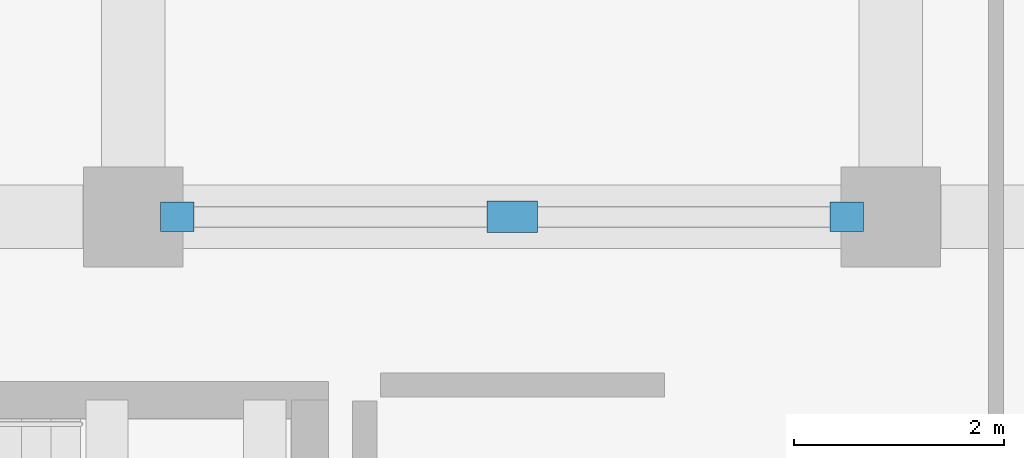
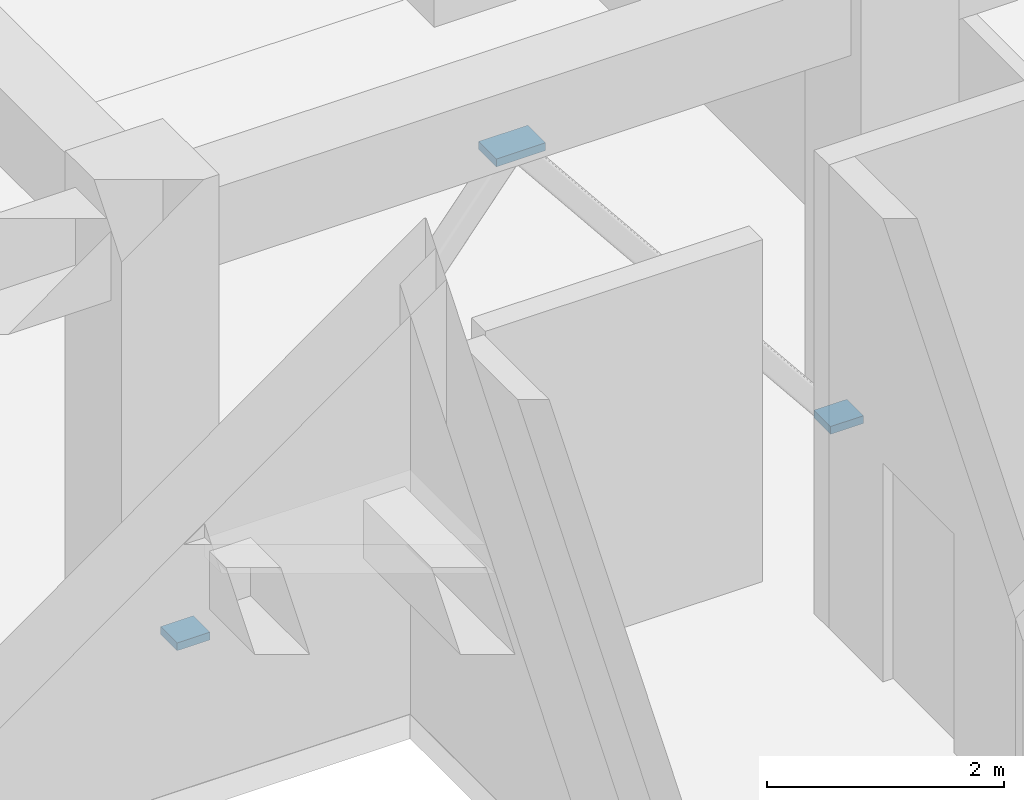
# One storey, part 46 of 54: 3 discrete accessories.
"""IFC4 building model written with IfcOpenShell, lengths in metres."""

from ifc_helpers import new_model, si_unit, direction, frame, origin, origin_2d, place, context, subcontext, project, spatial, rectangle, extrude, material, type_object, element, save


model = new_model("IFC4")

# Units and contexts
model_context = context("Model", 3, precision=1e-05, world=origin(), true_north=direction((0.0, 1.0)))
body_context = subcontext(model_context, "Body", "Model", "MODEL_VIEW")
ifc_project = project(units=[si_unit("LENGTHUNIT", "METRE"), si_unit("AREAUNIT", "SQUARE_METRE"), si_unit("VOLUMEUNIT", "CUBIC_METRE"), si_unit("PLANEANGLEUNIT", "RADIAN"), si_unit("MASSUNIT", "GRAM", prefix="KILO")], contexts=[model_context])

# Site, building, storey
site_placement = place(None, origin())
site = spatial("IfcSite", under=ifc_project, at=site_placement, CompositionType="ELEMENT")
building_placement = place(site_placement, origin())
building = spatial("IfcBuilding", under=site, at=building_placement, Name="Kazehaya Institute of Natural Sciences", CompositionType="ELEMENT")
storey_placement = place(building_placement, frame((0.0, 0.0, 5.39990234375)))
storey = spatial("IfcBuildingStorey", under=building, at=storey_placement, Name="L01", CompositionType="ELEMENT", Elevation=5.39990234375)

# Discrete accessories
ifc_material = material(Name="Structural steel SN490B", Category="steel")
discrete_accessory_type = type_object("IfcDiscreteAccessoryType", Name="ACC-STL-CAP", PredefinedType="BRACKET", material=ifc_material)
for number, where, z_axis, x_axis, name in (
    (1, (69.419921875, 28.39990234375, 0.010009765625), (0.0, 0.0, 1.0), (1.0, 0.0, 0.0), "L01 brace base gusset end plate 3"),
    (2, (75.780029296875, 28.39990234375, 0.010009765625), (0.0, 0.0, 1.0), (1.0, 0.0, 0.0), "L01 brace base gusset end plate 4"),
):
    element("IfcDiscreteAccessory", number, at=place(storey_placement, frame(where, z_axis=z_axis, x_axis=x_axis)), inside=storey, type_object=discrete_accessory_type, Name=name, PredefinedType="BRACKET", context=body_context, shape_type="SweptSolid", body=[
        extrude(rectangle(XDim=0.320068359375, YDim=0.280029296875, at=origin_2d()), origin(), (0.0, 0.0, 1.0), 0.080078125),
    ])
discrete_accessory_placement = place(storey_placement, frame((72.60009765625, 28.39990234375, 3.91015625), z_axis=(0.0, 0.0, 1.0), x_axis=(1.0, 0.0, 0.0)))
element("IfcDiscreteAccessory", 3, at=discrete_accessory_placement, inside=storey, type_object=discrete_accessory_type, Name="L01 chevron brace apex gusset plate", PredefinedType="BRACKET", context=body_context, shape_type="SweptSolid", body=[
    extrude(rectangle(XDim=0.47998046875, YDim=0.300048828125, at=origin_2d()), origin(), (0.0, 0.0, 1.0), 0.080078125),
])

save(model, "model.ifc")
